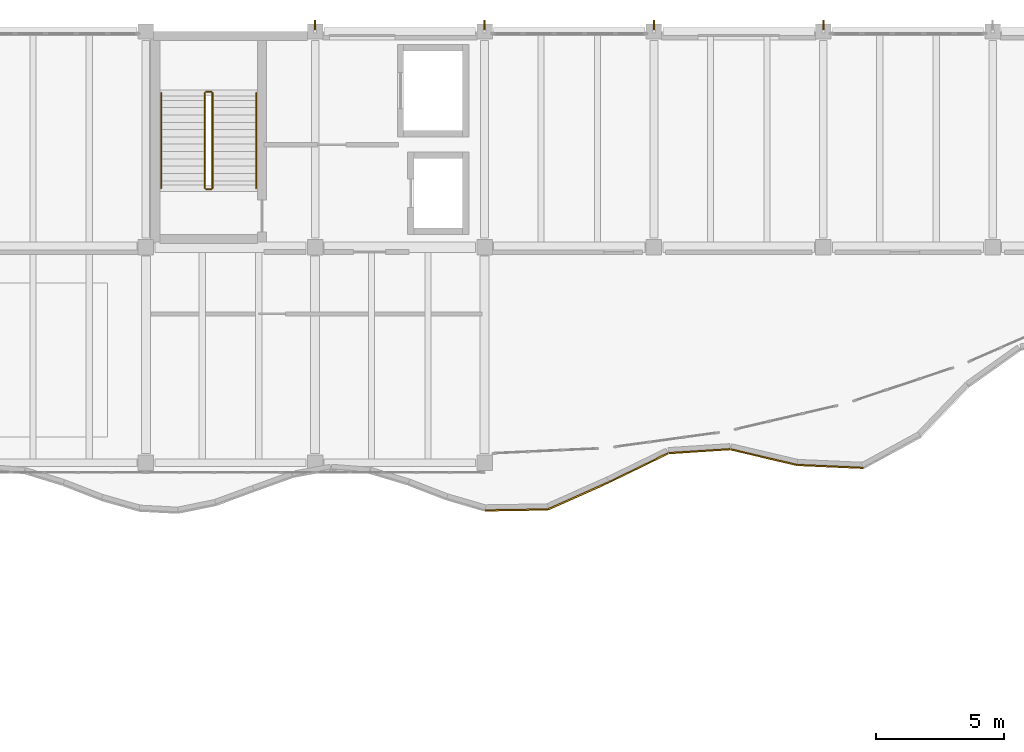
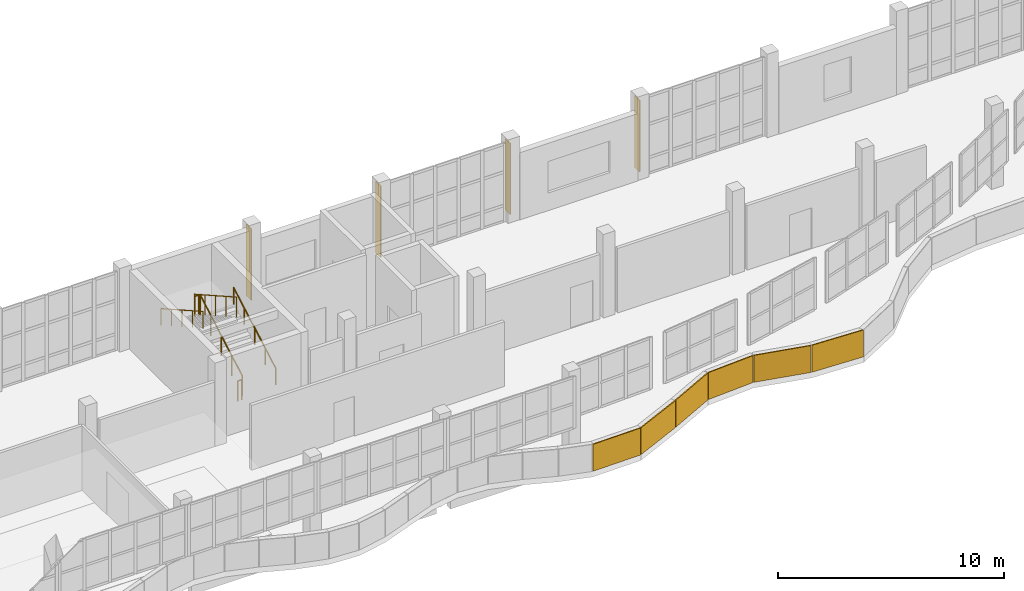
# One storey, part 71 of 76: 6 coverings, 6 railings, 4 shading devices.
"""IFC4 building model written with IfcOpenShell, lengths in metres."""

from ifc_helpers import new_model, si_unit, direction, frame, origin, origin_2d, place, context, subcontext, project, spatial, rectangle, circle, extrude, material, layer, layer_set, type_object, element, save


model = new_model("IFC4")

# Units and contexts
model_context = context("Model", 3, precision=1e-05, world=origin(), true_north=direction((0.0, 1.0)))
body_context = subcontext(model_context, "Body", "Model", "MODEL_VIEW")
ifc_project = project(units=[si_unit("LENGTHUNIT", "METRE"), si_unit("AREAUNIT", "SQUARE_METRE"), si_unit("VOLUMEUNIT", "CUBIC_METRE"), si_unit("PLANEANGLEUNIT", "RADIAN"), si_unit("MASSUNIT", "GRAM", prefix="KILO")], contexts=[model_context])

# Site, building, storey
site_placement = place(None, origin())
site = spatial("IfcSite", under=ifc_project, at=site_placement, CompositionType="ELEMENT")
building_placement = place(site_placement, origin())
building = spatial("IfcBuilding", under=site, at=building_placement, Name="Qaldarim Faculty of Natural and Applied Sciences", CompositionType="ELEMENT")
storey_placement = place(building_placement, frame((0.0, 0.0, 9.89990234375)))
storey = spatial("IfcBuildingStorey", under=building, at=storey_placement, Name="L02", CompositionType="ELEMENT", Elevation=9.89990234375)

# Railings
ifc_material_1 = material(Name="Architectural stainless steel 316", Category="steel")
railing_type_1 = type_object("IfcRailingType", Name="GuardBalustrade-1100", PredefinedType="BALUSTRADE", material=ifc_material_1)
railing_1_placement = place(storey_placement, frame((101.60009765625, 111.5, 0.16015625)))
element("IfcRailing", 1, at=railing_1_placement, inside=storey, type_object=railing_type_1, Name="ST-B1 L02 stair well guard 1", PredefinedType="BALUSTRADE", context=body_context, shape_type="SweptSolid", body=[
    extrude(circle(Radius=0.02392578125, at=origin_2d()), frame((0.0, 0.0, 1.076171875), z_axis=(0.0, 0.870998619023, 0.491285462496), x_axis=(-1.0, 0.0, 0.0)), (0.0, 0.0, 1.0), 4.25390625),
    extrude(circle(Radius=0.02099609375, at=origin_2d()), origin(), (0.0, 0.0, 1.0), 1.052001953125),
    extrude(circle(Radius=0.02099609375, at=origin_2d()), frame((0.0, 0.92626953125, 0.5224609375)), (0.0, 0.0, 1.0), 1.052001953125),
    extrude(circle(Radius=0.02099609375, at=origin_2d()), frame((0.0, 1.8525390625, 1.044921875)), (0.0, 0.0, 1.0), 1.052001953125),
    extrude(circle(Radius=0.02099609375, at=origin_2d()), frame((0.0, 2.77880859375, 1.5673828125)), (0.0, 0.0, 1.0), 1.052001953125),
    extrude(circle(Radius=0.02099609375, at=origin_2d()), frame((0.0, 3.705078125, 2.08984375)), (0.0, 0.0, 1.0), 1.052001953125),
])
railing_2_placement = place(storey_placement, frame((101.550048828125, 115.2548828125, 2.25)))
element("IfcRailing", 2, at=railing_2_placement, inside=storey, type_object=railing_type_1, Name="ST-B1 L02 stair well guard 2", PredefinedType="BALUSTRADE", context=body_context, shape_type="SweptSolid", body=[
    extrude(circle(Radius=0.02392578125, at=origin_2d()), frame((0.0, 0.0, 1.076171875), z_axis=(-1.0, 0.0, 0.0), x_axis=(0.0, -1.0, 0.0)), (0.0, 0.0, 1.0), 0.199951171875),
    extrude(circle(Radius=0.02099609375, at=origin_2d()), origin(), (0.0, 0.0, 1.0), 1.052001953125),
    extrude(circle(Radius=0.02099609375, at=origin_2d()), frame((-0.199951171875, 0.0, 0.0)), (0.0, 0.0, 1.0), 1.052001953125),
])
railing_3_placement = place(storey_placement, frame((101.300048828125, 115.205078125, 2.41015625)))
element("IfcRailing", 3, at=railing_3_placement, inside=storey, type_object=railing_type_1, Name="ST-B1 L02 stair well guard 3", PredefinedType="BALUSTRADE", context=body_context, shape_type="SweptSolid", body=[
    extrude(circle(Radius=0.02392578125, at=origin_2d()), frame((0.0, 0.0, 1.076171875), z_axis=(0.0, -0.870998619023, 0.491285462496), x_axis=(1.0, 0.0, 0.0)), (0.0, 0.0, 1.0), 4.25390625),
    extrude(circle(Radius=0.02099609375, at=origin_2d()), origin(), (0.0, 0.0, 1.0), 1.052001953125),
    extrude(circle(Radius=0.02099609375, at=origin_2d()), frame((0.0, -0.92626953125, 0.5224609375)), (0.0, 0.0, 1.0), 1.052001953125),
    extrude(circle(Radius=0.02099609375, at=origin_2d()), frame((0.0, -1.8525390625, 1.044921875)), (0.0, 0.0, 1.0), 1.052001953125),
    extrude(circle(Radius=0.02099609375, at=origin_2d()), frame((0.0, -2.77880859375, 1.5673828125)), (0.0, 0.0, 1.0), 1.052001953125),
    extrude(circle(Radius=0.02099609375, at=origin_2d()), frame((0.0, -3.705078125, 2.08984375)), (0.0, 0.0, 1.0), 1.052001953125),
])
railing_4_placement = place(storey_placement, frame((101.550048828125, 111.449951171875, 0.0)))
element("IfcRailing", 4, at=railing_4_placement, inside=storey, type_object=railing_type_1, Name="ST-B1 L02 stair well guard 4", PredefinedType="BALUSTRADE", context=body_context, shape_type="SweptSolid", body=[
    extrude(circle(Radius=0.02392578125, at=origin_2d()), frame((0.0, 0.0, 1.076171875), z_axis=(-1.0, 0.0, 0.0), x_axis=(0.0, -1.0, 0.0)), (0.0, 0.0, 1.0), 0.199951171875),
    extrude(circle(Radius=0.02099609375, at=origin_2d()), origin(), (0.0, 0.0, 1.0), 1.052001953125),
    extrude(circle(Radius=0.02099609375, at=origin_2d()), frame((-0.199951171875, 0.0, 0.0)), (0.0, 0.0, 1.0), 1.052001953125),
])

# Coverings
ifc_material_2 = material(Name="White architectural precast concrete C40/50", Category="concrete")
ifc_layer_1 = layer(ifc_material_2, 0.06005859375)
ifc_layer_set_1 = layer_set([ifc_layer_1], Name="White architectural precast concrete C40/50")
covering_type = type_object("IfcCoveringType", Name="LimestoneSpandrelCladding-60", PredefinedType="CLADDING", material=ifc_layer_set_1)
covering_1_placement = place(storey_placement, frame((113.43994140625, 98.9599609375, 0.0), z_axis=(0.0, 0.0, 1.0), x_axis=(0.999869401779, 0.016161045302, 0.0)))
element("IfcCovering", 5, at=covering_1_placement, inside=storey, type_object=covering_type, Name="White limestone wave band fascia L02 chord 54", PredefinedType="CLADDING", context=body_context, shape_type="SweptSolid", body=[
    extrude(rectangle(XDim=2.43505859375, YDim=0.06005859375, at=origin_2d()), origin(), (0.0, 0.0, 1.0), 1.449951171875),
])
covering_2_placement = place(storey_placement, frame((115.860107421875, 99.510009765625, 0.0), z_axis=(0.0, 0.0, 1.0), x_axis=(0.913417632478, 0.407023621769, 0.0)))
element("IfcCovering", 6, at=covering_2_placement, inside=storey, type_object=covering_type, Name="White limestone wave band fascia L02 chord 55", PredefinedType="CLADDING", context=body_context, shape_type="SweptSolid", body=[
    extrude(rectangle(XDim=2.574951171875, YDim=0.06005859375, at=origin_2d()), origin(), (0.0, 0.0, 1.0), 1.449951171875),
])
covering_3_placement = place(storey_placement, frame((118.205078125, 100.60498046875, 0.0), z_axis=(0.0, 0.0, 1.0), x_axis=(0.898671594938, 0.43862212034, 0.0)))
element("IfcCovering", 7, at=covering_3_placement, inside=storey, type_object=covering_type, Name="White limestone wave band fascia L02 chord 56", PredefinedType="CLADDING", context=body_context, shape_type="SweptSolid", body=[
    extrude(rectangle(XDim=2.52490234375, YDim=0.06005859375, at=origin_2d()), origin(), (0.0, 0.0, 1.0), 1.449951171875),
])
covering_4_placement = place(storey_placement, frame((120.570068359375, 101.25, 0.0), z_axis=(0.0, 0.0, 1.0), x_axis=(0.997929112, 0.064323303881, 0.0)))
element("IfcCovering", 8, at=covering_4_placement, inside=storey, type_object=covering_type, Name="White limestone wave band fascia L02 chord 57", PredefinedType="CLADDING", context=body_context, shape_type="SweptSolid", body=[
    extrude(rectangle(XDim=2.3701171875, YDim=0.06005859375, at=origin_2d()), origin(), (0.0, 0.0, 1.0), 1.449951171875),
])
covering_5_placement = place(storey_placement, frame((123.0849609375, 101.014892578125, 0.0), z_axis=(0.0, 0.0, 1.0), x_axis=(0.97344322533, -0.228928563222, 0.0)))
element("IfcCovering", 9, at=covering_5_placement, inside=storey, type_object=covering_type, Name="White limestone wave band fascia L02 chord 58", PredefinedType="CLADDING", context=body_context, shape_type="SweptSolid", body=[
    extrude(rectangle(XDim=2.64501953125, YDim=0.06005859375, at=origin_2d()), origin(), (0.0, 0.0, 1.0), 1.449951171875),
])
covering_6_placement = place(storey_placement, frame((125.68505859375, 100.655029296875, 0.0), z_axis=(0.0, 0.0, 1.0), x_axis=(0.999015978487, -0.044351716176, 0.0)))
element("IfcCovering", 10, at=covering_6_placement, inside=storey, type_object=covering_type, Name="White limestone wave band fascia L02 chord 59", PredefinedType="CLADDING", context=body_context, shape_type="SweptSolid", body=[
    extrude(rectangle(XDim=2.554931640625, YDim=0.06005859375, at=origin_2d()), origin(), (0.0, 0.0, 1.0), 1.449951171875),
])

# Railings
railing_type_2 = type_object("IfcRailingType", Name="StairHandrail-920", PredefinedType="HANDRAIL", material=ifc_material_1)
railing_5_placement = place(storey_placement, frame((103.300048828125, 111.5, 0.16015625)))
element("IfcRailing", 11, at=railing_5_placement, inside=storey, type_object=railing_type_2, Name="ST-B1 L02 stair handrail 1", PredefinedType="HANDRAIL", context=body_context, shape_type="SweptSolid", body=[
    extrude(circle(Radius=0.02392578125, at=origin_2d()), frame((0.0, 0.0, 0.89599609375), z_axis=(0.0, 0.870998619023, 0.491285462496), x_axis=(-1.0, 0.0, 0.0)), (0.0, 0.0, 1.0), 4.25390625),
    extrude(circle(Radius=0.02099609375, at=origin_2d()), origin(), (0.0, 0.0, 1.0), 0.871826171875),
    extrude(circle(Radius=0.02099609375, at=origin_2d()), frame((0.0, 0.92626953125, 0.5224609375)), (0.0, 0.0, 1.0), 0.871826171875),
    extrude(circle(Radius=0.02099609375, at=origin_2d()), frame((0.0, 1.8525390625, 1.044921875)), (0.0, 0.0, 1.0), 0.871826171875),
    extrude(circle(Radius=0.02099609375, at=origin_2d()), frame((0.0, 2.77880859375, 1.5673828125)), (0.0, 0.0, 1.0), 0.871826171875),
    extrude(circle(Radius=0.02099609375, at=origin_2d()), frame((0.0, 3.705078125, 2.08984375)), (0.0, 0.0, 1.0), 0.871826171875),
])
railing_6_placement = place(storey_placement, frame((99.60009765625, 115.205078125, 2.41015625)))
element("IfcRailing", 12, at=railing_6_placement, inside=storey, type_object=railing_type_2, Name="ST-B1 L02 stair handrail 2", PredefinedType="HANDRAIL", context=body_context, shape_type="SweptSolid", body=[
    extrude(circle(Radius=0.02392578125, at=origin_2d()), frame((0.0, 0.0, 0.89599609375), z_axis=(0.0, -0.870998619023, 0.491285462496), x_axis=(1.0, 0.0, 0.0)), (0.0, 0.0, 1.0), 4.25390625),
    extrude(circle(Radius=0.02099609375, at=origin_2d()), origin(), (0.0, 0.0, 1.0), 0.871826171875),
    extrude(circle(Radius=0.02099609375, at=origin_2d()), frame((0.0, -0.92626953125, 0.5224609375)), (0.0, 0.0, 1.0), 0.871826171875),
    extrude(circle(Radius=0.02099609375, at=origin_2d()), frame((0.0, -1.8525390625, 1.044921875)), (0.0, 0.0, 1.0), 0.871826171875),
    extrude(circle(Radius=0.02099609375, at=origin_2d()), frame((0.0, -2.77880859375, 1.5673828125)), (0.0, 0.0, 1.0), 0.871826171875),
    extrude(circle(Radius=0.02099609375, at=origin_2d()), frame((0.0, -3.705078125, 2.08984375)), (0.0, 0.0, 1.0), 0.871826171875),
])

# Shading devices
ifc_material_3 = material(Name="Champagne anodised aluminium AW-6063", Category="aluminium")
ifc_layer_2 = layer(ifc_material_3, 0.06005859375)
ifc_layer_set_2 = layer_set([ifc_layer_2], Name="Champagne anodised aluminium AW-6063")
shading_device_type = type_object("IfcShadingDeviceType", Name="VerticalSunFin-ALU450x60", PredefinedType="SHUTTER", material=ifc_layer_set_2)
for number, where, z_axis, x_axis, name in (
    (13, (105.60009765625, 117.824951171875, 0.2001953125), (0.0, 0.0, 1.0), (1.0, 0.0, 0.0), "North pier fin FIN-V4N-L02-X17"),
    (14, (112.199951171875, 117.824951171875, 0.2001953125), (0.0, 0.0, 1.0), (1.0, 0.0, 0.0), "North pier fin FIN-V4N-L02-X18"),
    (15, (118.800048828125, 117.824951171875, 0.2001953125), (0.0, 0.0, 1.0), (1.0, 0.0, 0.0), "North pier fin FIN-V4N-L02-X19"),
    (16, (125.39990234375, 117.824951171875, 0.2001953125), (0.0, 0.0, 1.0), (1.0, 0.0, 0.0), "North pier fin FIN-V4N-L02-X20"),
):
    element("IfcShadingDevice", number, at=place(storey_placement, frame(where, z_axis=z_axis, x_axis=x_axis)), inside=storey, type_object=shading_device_type, Name=name, PredefinedType="SHUTTER", context=body_context, shape_type="SweptSolid", body=[
        extrude(rectangle(XDim=0.06005859375, YDim=0.449951171875, at=origin_2d()), origin(), (0.0, 0.0, 1.0), 3.840087890625),
    ])

save(model, "model.ifc")
